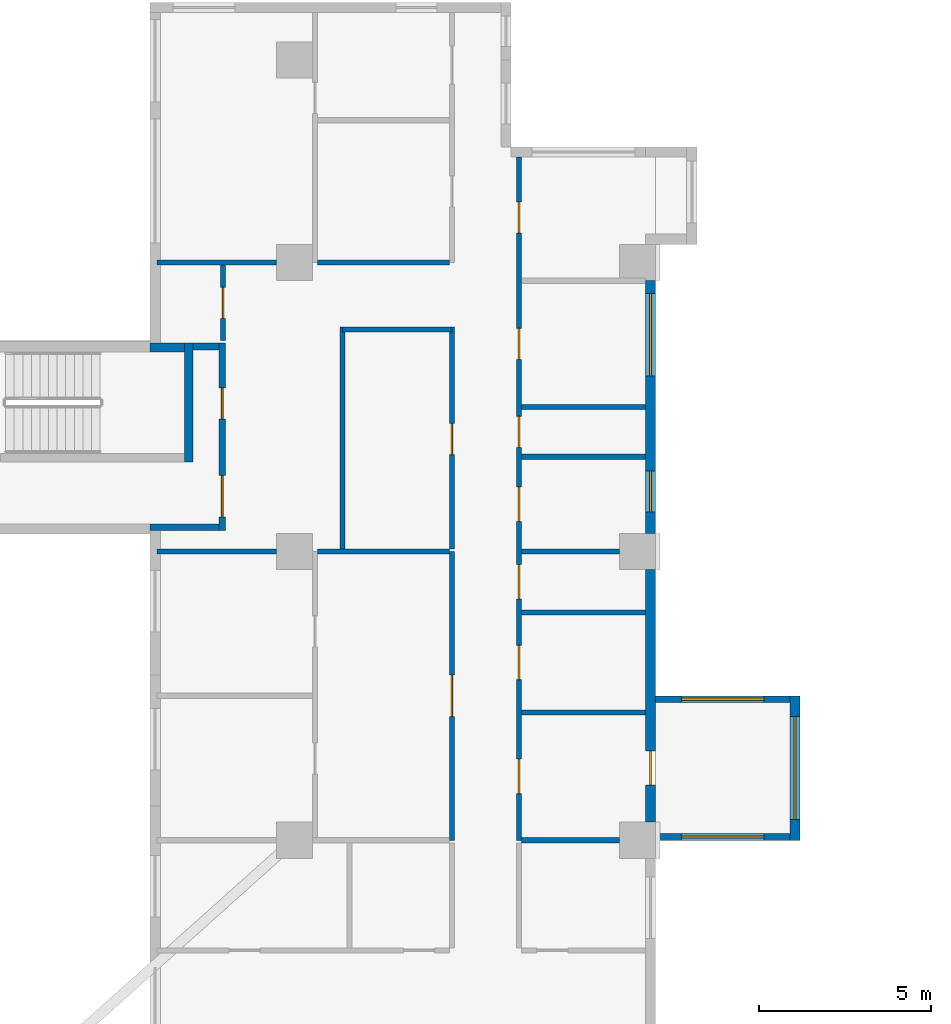
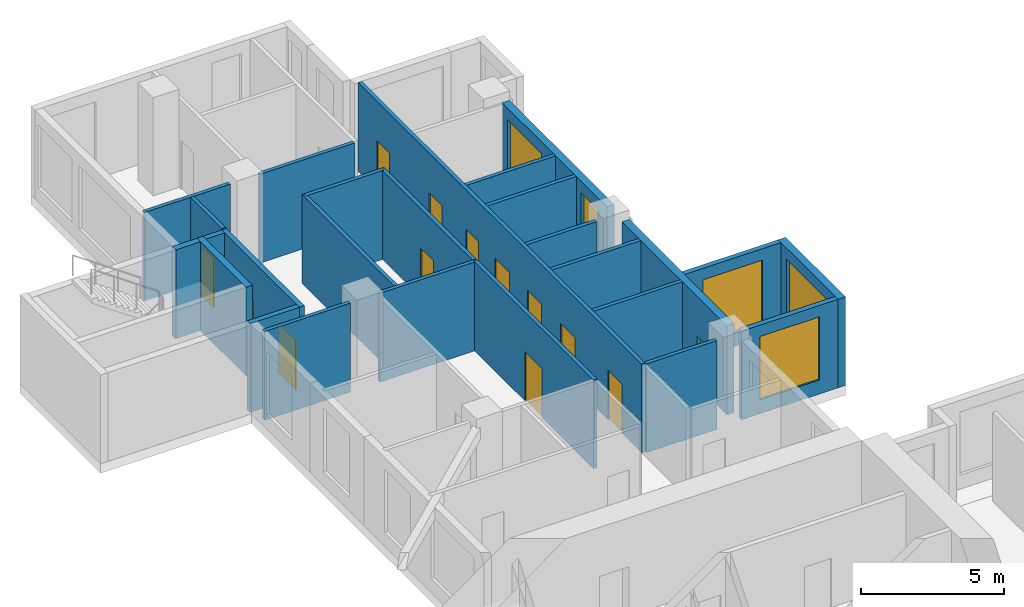
# One storey, part 7 of 15: 26 walls, 13 doors, 5 windows, 18 openings.
"""IFC4 building model written with IfcOpenShell, lengths in metres."""

from ifc_helpers import new_model, si_unit, direction, frame, frame_2d, origin, place, context, subcontext, project, spatial, rectangle, extrude, source, transform, mapped, material, layer, layer_set, type_object, element, fill, save


model = new_model("IFC4")

# Units and contexts
model_context = context("Model", 3, precision=1e-05, world=origin(), true_north=direction((0.0, 1.0)))
body_context = subcontext(model_context, "Body", "Model", "MODEL_VIEW")
ifc_project = project(units=[si_unit("LENGTHUNIT", "METRE"), si_unit("AREAUNIT", "SQUARE_METRE"), si_unit("VOLUMEUNIT", "CUBIC_METRE"), si_unit("PLANEANGLEUNIT", "RADIAN"), si_unit("MASSUNIT", "GRAM", prefix="KILO")], contexts=[model_context])

# Site, building, storey
site_placement = place(None, origin())
site = spatial("IfcSite", under=ifc_project, at=site_placement, CompositionType="ELEMENT")
building_placement = place(site_placement, origin())
building = spatial("IfcBuilding", under=site, at=building_placement, Name="Aurelian Terraces", CompositionType="ELEMENT")
storey_placement = place(building_placement, frame((0.0, 0.0, 120.3)))
storey = spatial("IfcBuildingStorey", under=building, at=storey_placement, Name="L26", CompositionType="ELEMENT", Elevation=120.3)

# Wall, opening, window
ifc_material_1 = material(Name="Concrete fc' 40 MPa", Category="concrete")
ifc_layer_1 = layer(ifc_material_1, 0.2)
ifc_layer_set_1 = layer_set([ifc_layer_1], Name="BOX BEARING WALL 200")
wall_type_1 = type_object("IfcWallType", Name="BOX BEARING WALL 200", PredefinedType="SOLIDWALL", material=ifc_layer_set_1)
shared_shape_1 = source(origin(), body_context, "Body", "SweptSolid", [
    extrude(rectangle(XDim=3.9, YDim=0.2, at=frame_2d((1.95, 0.0))), origin(), (0.0, 0.0, 1.0), 3.79),
])
wall_1_placement = place(storey_placement, frame((21.0, 29.5, 0.0), z_axis=(0.0, 0.0, 1.0), x_axis=(1.0, 0.0, 0.0)))
wall_1 = element("IfcWall", 1, at=wall_1_placement, inside=storey, type_object=wall_type_1, Name="Box return L26 J38.1", PredefinedType="SOLIDWALL", context=body_context, shape_type="MappedRepresentation", body=[
    mapped(shared_shape_1, transform((0.0, 0.0, 0.0), scale=1.0)),
])
shared_shape_2 = source(origin(), body_context, "Body", "SweptSolid", [
    extrude(rectangle(XDim=2.4, YDim=2.7, at=frame_2d((1.2, 1.35))), frame((0.0, 0.11, 0.0), z_axis=(0.0, -1.0, 0.0), x_axis=(1.0, 0.0, 0.0)), (0.0, 0.0, 1.0), 0.22),
])
opening_1_placement = place(wall_1_placement, frame((0.75, 0.0, 0.6)))
opening_1 = element("IfcOpeningElement", 2, at=opening_1_placement, cuts=wall_1, Name="Opening W2427", PredefinedType="OPENING", context=body_context, shape_type="MappedRepresentation", body=[
    mapped(shared_shape_2, transform((0.0, 0.0, 0.0), scale=1.0)),
])
ifc_material_2 = material(Name="Clear glazing", Category="glass")
window_type_1 = type_object("IfcWindowType", Name="W-2400x2700", PartitioningType="SINGLE_PANEL", PredefinedType="WINDOW", material=ifc_material_2)
shared_shape_3 = source(origin(), body_context, "Body", "SweptSolid", [
    extrude(rectangle(XDim=2.4, YDim=2.7, at=frame_2d((1.2, 1.35))), frame((0.0, 0.03, 0.0), z_axis=(0.0, -1.0, 0.0), x_axis=(1.0, 0.0, 0.0)), (0.0, 0.0, 1.0), 0.06),
])
window_1_placement = place(opening_1_placement, origin())
window_1 = element("IfcWindow", 3, at=window_1_placement, inside=storey, type_object=window_type_1, Name="Window L26 J38-S1", OverallHeight=2.7, OverallWidth=2.4, PartitioningType="SINGLE_PANEL", PredefinedType="WINDOW", context=body_context, shape_type="MappedRepresentation", body=[
    mapped(shared_shape_3, transform((0.0, 0.0, 0.0), scale=1.0)),
])
fill(opening_1, window_1)

wall_2_placement = place(storey_placement, frame((21.0, 33.5, 0.0), z_axis=(0.0, 0.0, 1.0), x_axis=(1.0, 0.0, 0.0)))
wall_2 = element("IfcWall", 4, at=wall_2_placement, inside=storey, type_object=wall_type_1, Name="Box return L26 J38.2", PredefinedType="SOLIDWALL", context=body_context, shape_type="MappedRepresentation", body=[
    mapped(shared_shape_1, transform((0.0, 0.0, 0.0), scale=1.0)),
])
opening_2_placement = place(wall_2_placement, frame((0.75, 0.0, 0.6)))
opening_2 = element("IfcOpeningElement", 5, at=opening_2_placement, cuts=wall_2, Name="Opening W2427", PredefinedType="OPENING", context=body_context, shape_type="MappedRepresentation", body=[
    mapped(shared_shape_2, transform((0.0, 0.0, 0.0), scale=1.0)),
])
window_2_placement = place(opening_2_placement, origin())
window_2 = element("IfcWindow", 6, at=window_2_placement, inside=storey, type_object=window_type_1, Name="Window L26 J38-S2", OverallHeight=2.7, OverallWidth=2.4, PartitioningType="SINGLE_PANEL", PredefinedType="WINDOW", context=body_context, shape_type="MappedRepresentation", body=[
    mapped(shared_shape_3, transform((0.0, 0.0, 0.0), scale=1.0)),
])
fill(opening_2, window_2)

ifc_layer_2 = layer(ifc_material_1, 0.3)
ifc_layer_set_2 = layer_set([ifc_layer_2], Name="BOX BEARING WALL 300")
wall_type_2 = type_object("IfcWallType", Name="BOX BEARING WALL 300", PredefinedType="SOLIDWALL", material=ifc_layer_set_2)
shared_shape_4 = source(origin(), body_context, "Body", "SweptSolid", [
    extrude(rectangle(XDim=4.2, YDim=0.3, at=frame_2d((2.1, 0.0))), origin(), (0.0, 0.0, 1.0), 3.79),
])
wall_3_placement = place(storey_placement, frame((25.05, 29.4, 0.0), z_axis=(0.0, 0.0, 1.0), x_axis=(0.0, 1.0, 0.0)))
wall_3 = element("IfcWall", 7, at=wall_3_placement, inside=storey, type_object=wall_type_2, Name="Box wall L26 J38", PredefinedType="SOLIDWALL", context=body_context, shape_type="MappedRepresentation", body=[
    mapped(shared_shape_4, transform((0.0, 0.0, 0.0), scale=1.0)),
])
shared_shape_5 = source(origin(), body_context, "Body", "SweptSolid", [
    extrude(rectangle(XDim=3.0, YDim=2.7, at=frame_2d((1.5, 1.35))), frame((0.0, 0.16, 0.0), z_axis=(0.0, -1.0, 0.0), x_axis=(1.0, 0.0, 0.0)), (0.0, 0.0, 1.0), 0.32),
])
opening_3_placement = place(wall_3_placement, frame((0.6, 0.0, 0.6)))
opening_3 = element("IfcOpeningElement", 8, at=opening_3_placement, cuts=wall_3, Name="Opening W3027", PredefinedType="OPENING", context=body_context, shape_type="MappedRepresentation", body=[
    mapped(shared_shape_5, transform((0.0, 0.0, 0.0), scale=1.0)),
])
window_type_2 = type_object("IfcWindowType", Name="W-3000x2700", PartitioningType="SINGLE_PANEL", PredefinedType="WINDOW", material=ifc_material_2)
shared_shape_6 = source(origin(), body_context, "Body", "SweptSolid", [
    extrude(rectangle(XDim=3.0, YDim=2.7, at=frame_2d((1.5, 1.35))), frame((0.0, 0.03, 0.0), z_axis=(0.0, -1.0, 0.0), x_axis=(1.0, 0.0, 0.0)), (0.0, 0.0, 1.0), 0.06),
])
window_3_placement = place(opening_3_placement, origin())
window_3 = element("IfcWindow", 9, at=window_3_placement, inside=storey, type_object=window_type_2, Name="Window L26 J38-F1", OverallHeight=2.7, OverallWidth=3.0, PartitioningType="SINGLE_PANEL", PredefinedType="WINDOW", context=body_context, shape_type="MappedRepresentation", body=[
    mapped(shared_shape_6, transform((0.0, 0.0, 0.0), scale=1.0)),
])
fill(opening_3, window_3)

# Wall, opening, door
ifc_material_3 = material(Name="Terracotta rainscreen cladding", Category="masonry")
ifc_layer_3 = layer(ifc_material_3, 0.3)
ifc_layer_set_3 = layer_set([ifc_layer_3], Name="EW-300")
wall_type_3 = type_object("IfcWallType", Name="EW-300", PredefinedType="STANDARD", material=ifc_layer_set_3)
shared_shape_7 = source(origin(), body_context, "Body", "SweptSolid", [
    extrude(rectangle(XDim=7.35, YDim=0.3, at=frame_2d((3.675, 0.0))), origin(), (0.0, 0.0, 1.0), 3.8),
])
wall_4_placement = place(storey_placement, frame((20.85, 29.925, 0.0), z_axis=(0.0, 0.0, 1.0), x_axis=(0.0, 1.0, 0.0)))
wall_4 = element("IfcWall", 10, at=wall_4_placement, inside=storey, type_object=wall_type_3, Name="External wall L26 F08.24", PredefinedType="STANDARD", context=body_context, shape_type="MappedRepresentation", body=[
    mapped(shared_shape_7, transform((0.0, 0.0, 0.0), scale=1.0)),
])
shared_shape_8 = source(origin(), body_context, "Body", "SweptSolid", [
    extrude(rectangle(XDim=1.0, YDim=2.1, at=frame_2d((0.5, 1.05))), frame((0.0, 0.16, 0.0), z_axis=(0.0, -1.0, 0.0), x_axis=(1.0, 0.0, 0.0)), (0.0, 0.0, 1.0), 0.32),
])
opening_4_placement = place(wall_4_placement, frame((1.075, 0.0, 0.0)))
opening_4 = element("IfcOpeningElement", 11, at=opening_4_placement, cuts=wall_4, Name="Opening 826003", PredefinedType="OPENING", context=body_context, shape_type="MappedRepresentation", body=[
    mapped(shared_shape_8, transform((0.0, 0.0, 0.0), scale=1.0)),
])
ifc_material_4 = material(Name="Timber door leaf", Category="wood")
door_type_1 = type_object("IfcDoorType", Name="Room door 1000x2100 left", OperationType="SINGLE_SWING_LEFT", PredefinedType="DOOR", material=ifc_material_4)
shared_shape_9 = source(origin(), body_context, "Body", "SweptSolid", [
    extrude(rectangle(XDim=1.0, YDim=2.1, at=frame_2d((0.5, 1.05))), frame((0.0, 0.025, 0.0), z_axis=(0.0, -1.0, 0.0), x_axis=(1.0, 0.0, 0.0)), (0.0, 0.0, 1.0), 0.05),
])
door_1_placement = place(opening_4_placement, origin())
door_1 = element("IfcDoor", 12, at=door_1_placement, inside=storey, type_object=door_type_1, Name="Door 826003", OperationType="SINGLE_SWING_LEFT", OverallHeight=2.1, OverallWidth=1.0, PredefinedType="DOOR", context=body_context, shape_type="MappedRepresentation", body=[
    mapped(shared_shape_9, transform((0.0, 0.0, 0.0), scale=1.0)),
])
fill(opening_4, door_1)

# Wall, openings, windows
wall_5_placement = place(storey_placement, frame((20.85, 38.325, 0.0), z_axis=(0.0, 0.0, 1.0), x_axis=(0.0, 1.0, 0.0)))
wall_5 = element("IfcWall", 13, at=wall_5_placement, inside=storey, type_object=wall_type_3, Name="External wall L26 F08.25", PredefinedType="STANDARD", context=body_context, shape_type="MappedRepresentation", body=[
    mapped(shared_shape_7, transform((0.0, 0.0, 0.0), scale=1.0)),
])
shared_shape_10 = source(origin(), body_context, "Body", "SweptSolid", [
    extrude(rectangle(XDim=1.2, YDim=2.7, at=frame_2d((0.6, 1.35))), frame((0.0, 0.16, 0.0), z_axis=(0.0, -1.0, 0.0), x_axis=(1.0, 0.0, 0.0)), (0.0, 0.0, 1.0), 0.32),
])
opening_5_placement = place(wall_5_placement, frame((0.6115, 0.0, 0.6)))
opening_5 = element("IfcOpeningElement", 14, at=opening_5_placement, cuts=wall_5, Name="Opening W1227", PredefinedType="OPENING", context=body_context, shape_type="MappedRepresentation", body=[
    mapped(shared_shape_10, transform((0.0, 0.0, 0.0), scale=1.0)),
])
shared_shape_11 = source(origin(), body_context, "Body", "SweptSolid", [
    extrude(rectangle(XDim=2.4, YDim=2.7, at=frame_2d((1.2, 1.35))), frame((0.0, 0.16, 0.0), z_axis=(0.0, -1.0, 0.0), x_axis=(1.0, 0.0, 0.0)), (0.0, 0.0, 1.0), 0.32),
])
opening_6_placement = place(wall_5_placement, frame((4.575, 0.0, 0.6)))
opening_6 = element("IfcOpeningElement", 15, at=opening_6_placement, cuts=wall_5, Name="Opening W2427", PredefinedType="OPENING", context=body_context, shape_type="MappedRepresentation", body=[
    mapped(shared_shape_11, transform((0.0, 0.0, 0.0), scale=1.0)),
])
window_4_placement = place(opening_6_placement, origin())
window_4 = element("IfcWindow", 16, at=window_4_placement, inside=storey, type_object=window_type_1, Name="Window L26 L26-F08-25-1", OverallHeight=2.7, OverallWidth=2.4, PartitioningType="SINGLE_PANEL", PredefinedType="WINDOW", context=body_context, shape_type="MappedRepresentation", body=[
    mapped(shared_shape_3, transform((0.0, 0.0, 0.0), scale=1.0)),
])
fill(opening_6, window_4)
window_type_3 = type_object("IfcWindowType", Name="W-1200x2700", PartitioningType="SINGLE_PANEL", PredefinedType="WINDOW", material=ifc_material_2)
shared_shape_12 = source(origin(), body_context, "Body", "SweptSolid", [
    extrude(rectangle(XDim=1.2, YDim=2.7, at=frame_2d((0.6, 1.35))), frame((0.0, 0.03, 0.0), z_axis=(0.0, -1.0, 0.0), x_axis=(1.0, 0.0, 0.0)), (0.0, 0.0, 1.0), 0.06),
])
window_5_placement = place(opening_5_placement, origin())
window_5 = element("IfcWindow", 17, at=window_5_placement, inside=storey, type_object=window_type_3, Name="Window L26 L26-F08-25-0", OverallHeight=2.7, OverallWidth=1.2, PartitioningType="SINGLE_PANEL", PredefinedType="WINDOW", context=body_context, shape_type="MappedRepresentation", body=[
    mapped(shared_shape_12, transform((0.0, 0.0, 0.0), scale=1.0)),
])
fill(opening_5, window_5)

# Wall
ifc_layer_4 = layer(ifc_material_1, 0.25)
ifc_layer_set_4 = layer_set([ifc_layer_4], Name="Stair enclosure wall 250")
wall_type_4 = type_object("IfcWallType", Name="Stair enclosure wall 250", PredefinedType="SOLIDWALL", material=ifc_layer_set_4)
shared_shape_13 = source(origin(), body_context, "Body", "SweptSolid", [
    extrude(rectangle(XDim=3.45, YDim=0.25, at=frame_2d((1.725, 0.0))), origin(), (0.0, 0.0, 1.0), 3.8),
])
wall_6_placement = place(storey_placement, frame((7.425, 40.4, 0.0), z_axis=(0.0, 0.0, 1.0), x_axis=(0.0, 1.0, 0.0)))
element("IfcWall", 18, at=wall_6_placement, inside=storey, type_object=wall_type_4, Name="L26 core wall ST-S3-N", PredefinedType="SOLIDWALL", context=body_context, shape_type="MappedRepresentation", body=[
    mapped(shared_shape_13, transform((0.0, 0.0, 0.0), scale=1.0)),
])

# Wall, openings, doors
ifc_material_5 = material(Name="Gypsum board on steel studs", Category="steel")
ifc_layer_5 = layer(ifc_material_5, 0.2)
ifc_layer_set_5 = layer_set([ifc_layer_5], Name="Core partition 200")
wall_type_5 = type_object("IfcWallType", Name="Core partition 200", PredefinedType="PARTITIONING", material=ifc_layer_set_5)
shared_shape_14 = source(origin(), body_context, "Body", "SweptSolid", [
    extrude(rectangle(XDim=5.45, YDim=0.2, at=frame_2d((2.725, 0.0))), origin(), (0.0, 0.0, 1.0), 3.8),
])
wall_7_placement = place(storey_placement, frame((8.4, 38.4, 0.0), z_axis=(0.0, 0.0, 1.0), x_axis=(0.0, 1.0, 0.0)))
wall_7 = element("IfcWall", 19, at=wall_7_placement, inside=storey, type_object=wall_type_5, Name="L26 core wall ST-S3-BN", PredefinedType="PARTITIONING", context=body_context, shape_type="MappedRepresentation", body=[
    mapped(shared_shape_14, transform((0.0, 0.0, 0.0), scale=1.0)),
])
shared_shape_15 = source(origin(), body_context, "Body", "SweptSolid", [
    extrude(rectangle(XDim=1.2, YDim=2.1, at=frame_2d((0.6, 1.05))), frame((0.0, 0.11, 0.0), z_axis=(0.0, -1.0, 0.0), x_axis=(1.0, 0.0, 0.0)), (0.0, 0.0, 1.0), 0.22),
])
opening_7_placement = place(wall_7_placement, frame((0.4, 0.0, 0.0)))
opening_7 = element("IfcOpeningElement", 20, at=opening_7_placement, cuts=wall_7, Name="Opening 62919", PredefinedType="OPENING", context=body_context, shape_type="MappedRepresentation", body=[
    mapped(shared_shape_15, transform((0.0, 0.0, 0.0), scale=1.0)),
])
shared_shape_16 = source(origin(), body_context, "Body", "SweptSolid", [
    extrude(rectangle(XDim=0.9, YDim=2.1, at=frame_2d((0.45, 1.05))), frame((0.0, 0.11, 0.0), z_axis=(0.0, -1.0, 0.0), x_axis=(1.0, 0.0, 0.0)), (0.0, 0.0, 1.0), 0.22),
])
opening_8_placement = place(wall_7_placement, frame((3.25, 0.0, 0.0)))
opening_8 = element("IfcOpeningElement", 21, at=opening_8_placement, cuts=wall_7, Name="Opening 62920", PredefinedType="OPENING", context=body_context, shape_type="MappedRepresentation", body=[
    mapped(shared_shape_16, transform((0.0, 0.0, 0.0), scale=1.0)),
])
ifc_material_6 = material(Name="Steel door leaf", Category="steel")
door_type_2 = type_object("IfcDoorType", Name="Core riser door 900x2100 right", OperationType="SINGLE_SWING_RIGHT", PredefinedType="DOOR", material=ifc_material_6)
shared_shape_17 = source(origin(), body_context, "Body", "SweptSolid", [
    extrude(rectangle(XDim=0.9, YDim=2.1, at=frame_2d((0.45, 1.05))), frame((0.0, 0.025, 0.0), z_axis=(0.0, -1.0, 0.0), x_axis=(1.0, 0.0, 0.0)), (0.0, 0.0, 1.0), 0.05),
])
door_2_placement = place(opening_8_placement, origin())
door_2 = element("IfcDoor", 22, at=door_2_placement, inside=storey, type_object=door_type_2, Name="Riser door 62920", OperationType="SINGLE_SWING_RIGHT", OverallHeight=2.1, OverallWidth=0.9, PredefinedType="DOOR", context=body_context, shape_type="MappedRepresentation", body=[
    mapped(shared_shape_17, transform((0.0, 0.0, 0.0), scale=1.0)),
])
fill(opening_8, door_2)
door_type_3 = type_object("IfcDoorType", Name="Core fire door 1200x2100", OperationType="SINGLE_SWING_LEFT", PredefinedType="DOOR", material=ifc_material_6)
shared_shape_18 = source(origin(), body_context, "Body", "SweptSolid", [
    extrude(rectangle(XDim=1.2, YDim=2.1, at=frame_2d((0.6, 1.05))), frame((0.0, 0.025, 0.0), z_axis=(0.0, -1.0, 0.0), x_axis=(1.0, 0.0, 0.0)), (0.0, 0.0, 1.0), 0.05),
])
door_3_placement = place(opening_7_placement, origin())
door_3 = element("IfcDoor", 23, at=door_3_placement, inside=storey, type_object=door_type_3, Name="Vestibule door 62919", OperationType="SINGLE_SWING_LEFT", OverallHeight=2.1, OverallWidth=1.2, PredefinedType="DOOR", context=body_context, shape_type="MappedRepresentation", body=[
    mapped(shared_shape_18, transform((0.0, 0.0, 0.0), scale=1.0)),
])
fill(opening_7, door_3)

# Walls
shared_shape_19 = source(origin(), body_context, "Body", "SweptSolid", [
    extrude(rectangle(XDim=0.75, YDim=0.2, at=frame_2d((0.375, 0.0))), origin(), (0.0, 0.0, 1.0), 3.8),
])
wall_8_placement = place(storey_placement, frame((7.55, 43.75, 0.0), z_axis=(0.0, 0.0, 1.0), x_axis=(1.0, 0.0, 0.0)))
element("IfcWall", 24, at=wall_8_placement, inside=storey, type_object=wall_type_5, Name="L26 core wall ST-S3-RE", PredefinedType="PARTITIONING", context=body_context, shape_type="MappedRepresentation", body=[
    mapped(shared_shape_19, transform((0.0, 0.0, 0.0), scale=1.0)),
])
shared_shape_20 = source(origin(), body_context, "Body", "SweptSolid", [
    extrude(rectangle(XDim=1.0, YDim=0.25, at=frame_2d((0.5, 0.0))), origin(), (0.0, 0.0, 1.0), 3.8),
])
wall_9_placement = place(storey_placement, frame((6.3, 43.725, 0.0), z_axis=(0.0, 0.0, 1.0), x_axis=(1.0, 0.0, 0.0)))
element("IfcWall", 25, at=wall_9_placement, inside=storey, type_object=wall_type_4, Name="L26 core wall ST-S3-E", PredefinedType="SOLIDWALL", context=body_context, shape_type="MappedRepresentation", body=[
    mapped(shared_shape_20, transform((0.0, 0.0, 0.0), scale=1.0)),
])
shared_shape_21 = source(origin(), body_context, "Body", "SweptSolid", [
    extrude(rectangle(XDim=2.0, YDim=0.2, at=frame_2d((1.0, 0.0))), origin(), (0.0, 0.0, 1.0), 3.8),
])
wall_10_placement = place(storey_placement, frame((6.3, 38.5, 0.0), z_axis=(0.0, 0.0, 1.0), x_axis=(1.0, 0.0, 0.0)))
element("IfcWall", 26, at=wall_10_placement, inside=storey, type_object=wall_type_5, Name="L26 core wall ST-S3-VW", PredefinedType="PARTITIONING", context=body_context, shape_type="MappedRepresentation", body=[
    mapped(shared_shape_21, transform((0.0, 0.0, 0.0), scale=1.0)),
])
ifc_layer_6 = layer(ifc_material_5, 0.15)
ifc_layer_set_6 = layer_set([ifc_layer_6], Name="Partition 150")
wall_type_6 = type_object("IfcWallType", Name="Partition 150", PredefinedType="PARTITIONING", material=ifc_layer_set_6)
shared_shape_22 = source(origin(), body_context, "Body", "SweptSolid", [
    extrude(rectangle(XDim=6.45, YDim=0.15, at=frame_2d((3.225, 0.0))), origin(), (0.0, 0.0, 1.0), 3.8),
])
wall_11_placement = place(storey_placement, frame((11.9, 44.325, 0.0), z_axis=(0.0, 0.0, 1.0), x_axis=(0.0, -1.0, 0.0)))
element("IfcWall", 27, at=wall_11_placement, inside=storey, type_object=wall_type_6, Name="Partition", PredefinedType="PARTITIONING", context=body_context, shape_type="MappedRepresentation", body=[
    mapped(shared_shape_22, transform((0.0, 0.0, 0.0), scale=1.0)),
])

# Wall, opening, door
ifc_layer_7 = layer(ifc_material_5, 0.15)
ifc_layer_set_7 = layer_set([ifc_layer_7], Name="Fire partition 150")
wall_type_7 = type_object("IfcWallType", Name="Fire partition 150", PredefinedType="PARTITIONING", material=ifc_layer_set_7)
wall_12_placement = place(storey_placement, frame((15.075, 37.875, 0.0), z_axis=(0.0, 0.0, 1.0), x_axis=(0.0, 1.0, 0.0)))
wall_12 = element("IfcWall", 28, at=wall_12_placement, inside=storey, type_object=wall_type_7, Name="Corridor wall", PredefinedType="PARTITIONING", context=body_context, shape_type="MappedRepresentation", body=[
    mapped(shared_shape_22, transform((0.0, 0.0, 0.0), scale=1.0)),
])
shared_shape_23 = source(origin(), body_context, "Body", "SweptSolid", [
    extrude(rectangle(XDim=0.9, YDim=2.1, at=frame_2d((0.45, 1.05))), frame((0.0, 0.085, 0.0), z_axis=(0.0, -1.0, 0.0), x_axis=(1.0, 0.0, 0.0)), (0.0, 0.0, 1.0), 0.17),
])
opening_9_placement = place(wall_12_placement, frame((2.7375, 0.0, 0.0)))
opening_9 = element("IfcOpeningElement", 29, at=opening_9_placement, cuts=wall_12, Name="Opening 726034", PredefinedType="OPENING", context=body_context, shape_type="MappedRepresentation", body=[
    mapped(shared_shape_23, transform((0.0, 0.0, 0.0), scale=1.0)),
])
door_type_4 = type_object("IfcDoorType", Name="Room door 900x2100 right", OperationType="SINGLE_SWING_RIGHT", PredefinedType="DOOR", material=ifc_material_4)
door_4_placement = place(opening_9_placement, origin())
door_4 = element("IfcDoor", 30, at=door_4_placement, inside=storey, type_object=door_type_4, Name="Door 726034", OperationType="SINGLE_SWING_RIGHT", OverallHeight=2.1, OverallWidth=0.9, PredefinedType="DOOR", context=body_context, shape_type="MappedRepresentation", body=[
    mapped(shared_shape_17, transform((0.0, 0.0, 0.0), scale=1.0)),
])
fill(opening_9, door_4)

# Walls
shared_shape_24 = source(origin(), body_context, "Body", "SweptSolid", [
    extrude(rectangle(XDim=3.6, YDim=0.15, at=frame_2d((1.8, 0.0))), origin(), (0.0, 0.0, 1.0), 3.8),
])
for number, where, z_axis, x_axis, name in (
    (31, (17.1, 33.1133, 0.0), (0.0, 0.0, 1.0), (1.0, 0.0, 0.0), "Partition"),
    (32, (17.1, 36.024, 0.0), (0.0, 0.0, 1.0), (1.0, 0.0, 0.0), "Partition"),
    (33, (17.1, 40.548, 0.0), (0.0, 0.0, 1.0), (1.0, 0.0, 0.0), "Partition"),
    (34, (20.7, 42.0, 0.0), (0.0, 0.0, 1.0), (-1.0, 0.0, 0.0), "Partition"),
):
    element("IfcWall", number, at=place(storey_placement, frame(where, z_axis=z_axis, x_axis=x_axis)), inside=storey, type_object=wall_type_6, Name=name, PredefinedType="PARTITIONING", context=body_context, shape_type="MappedRepresentation", body=[
        mapped(shared_shape_24, transform((0.0, 0.0, 0.0), scale=1.0)),
    ])

# Wall, opening, door
shared_shape_25 = source(origin(), body_context, "Body", "SweptSolid", [
    extrude(rectangle(XDim=8.4, YDim=0.15, at=frame_2d((4.2, 0.0))), origin(), (0.0, 0.0, 1.0), 3.8),
])
wall_13_placement = place(storey_placement, frame((15.075, 29.4, 0.0), z_axis=(0.0, 0.0, 1.0), x_axis=(0.0, 1.0, 0.0)))
wall_13 = element("IfcWall", 35, at=wall_13_placement, inside=storey, type_object=wall_type_7, Name="Corridor wall", PredefinedType="PARTITIONING", context=body_context, shape_type="MappedRepresentation", body=[
    mapped(shared_shape_25, transform((0.0, 0.0, 0.0), scale=1.0)),
])
shared_shape_26 = source(origin(), body_context, "Body", "SweptSolid", [
    extrude(rectangle(XDim=1.2, YDim=2.1, at=frame_2d((0.6, 1.05))), frame((0.0, 0.085, 0.0), z_axis=(0.0, -1.0, 0.0), x_axis=(1.0, 0.0, 0.0)), (0.0, 0.0, 1.0), 0.17),
])
opening_10_placement = place(wall_13_placement, frame((3.6, 0.0, 0.0)))
opening_10 = element("IfcOpeningElement", 36, at=opening_10_placement, cuts=wall_13, Name="Opening 726036", PredefinedType="OPENING", context=body_context, shape_type="MappedRepresentation", body=[
    mapped(shared_shape_26, transform((0.0, 0.0, 0.0), scale=1.0)),
])
door_type_5 = type_object("IfcDoorType", Name="Room door 1200x2100 left", OperationType="SINGLE_SWING_LEFT", PredefinedType="DOOR", material=ifc_material_4)
door_5_placement = place(opening_10_placement, origin())
door_5 = element("IfcDoor", 37, at=door_5_placement, inside=storey, type_object=door_type_5, Name="Door 726036", OperationType="SINGLE_SWING_LEFT", OverallHeight=2.1, OverallWidth=1.2, PredefinedType="DOOR", context=body_context, shape_type="MappedRepresentation", body=[
    mapped(shared_shape_18, transform((0.0, 0.0, 0.0), scale=1.0)),
])
fill(opening_10, door_5)

shared_shape_27 = source(origin(), body_context, "Body", "SweptSolid", [
    extrude(rectangle(XDim=2.2, YDim=0.15, at=frame_2d((1.1, 0.0))), origin(), (0.0, 0.0, 1.0), 3.8),
])
wall_14_placement = place(storey_placement, frame((8.425, 43.925, 0.0), z_axis=(0.0, 0.0, 1.0), x_axis=(0.0, 1.0, 0.0)))
wall_14 = element("IfcWall", 38, at=wall_14_placement, inside=storey, type_object=wall_type_6, Name="Partition", PredefinedType="PARTITIONING", context=body_context, shape_type="MappedRepresentation", body=[
    mapped(shared_shape_27, transform((0.0, 0.0, 0.0), scale=1.0)),
])
opening_11_placement = place(wall_14_placement, frame((0.65, 0.0, 0.0)))
opening_11 = element("IfcOpeningElement", 39, at=opening_11_placement, cuts=wall_14, Name="Opening 726035", PredefinedType="OPENING", context=body_context, shape_type="MappedRepresentation", body=[
    mapped(shared_shape_23, transform((0.0, 0.0, 0.0), scale=1.0)),
])
door_6_placement = place(opening_11_placement, origin())
door_6 = element("IfcDoor", 40, at=door_6_placement, inside=storey, type_object=door_type_4, Name="Door 726035", OperationType="SINGLE_SWING_RIGHT", OverallHeight=2.1, OverallWidth=0.9, PredefinedType="DOOR", context=body_context, shape_type="MappedRepresentation", body=[
    mapped(shared_shape_17, transform((0.0, 0.0, 0.0), scale=1.0)),
])
fill(opening_11, door_6)

# Walls
shared_shape_28 = source(origin(), body_context, "Body", "SweptSolid", [
    extrude(rectangle(XDim=3.175, YDim=0.15, at=frame_2d((1.5875, 0.0))), origin(), (0.0, 0.0, 1.0), 3.8),
])
wall_15_placement = place(storey_placement, frame((15.075, 44.25, 0.0), z_axis=(0.0, 0.0, 1.0), x_axis=(-1.0, 0.0, 0.0)))
element("IfcWall", 41, at=wall_15_placement, inside=storey, type_object=wall_type_6, Name="Partition", PredefinedType="PARTITIONING", context=body_context, shape_type="MappedRepresentation", body=[
    mapped(shared_shape_28, transform((0.0, 0.0, 0.0), scale=1.0)),
])
shared_shape_29 = source(origin(), body_context, "Body", "SweptSolid", [
    extrude(rectangle(XDim=3.825, YDim=0.15, at=frame_2d((1.9125, 0.0))), origin(), (0.0, 0.0, 1.0), 3.8),
])
for number, where, z_axis, x_axis, name in (
    (42, (15.0, 37.8, 0.0), (0.0, 0.0, 1.0), (-1.0, 0.0, 0.0), "Partition"),
    (43, (15.0, 46.2, 0.0), (0.0, 0.0, 1.0), (-1.0, 0.0, 0.0), "Partition"),
):
    element("IfcWall", number, at=place(storey_placement, frame(where, z_axis=z_axis, x_axis=x_axis)), inside=storey, type_object=wall_type_6, Name=name, PredefinedType="PARTITIONING", context=body_context, shape_type="MappedRepresentation", body=[
        mapped(shared_shape_29, transform((0.0, 0.0, 0.0), scale=1.0)),
    ])
shared_shape_30 = source(origin(), body_context, "Body", "SweptSolid", [
    extrude(rectangle(XDim=2.851, YDim=0.15, at=frame_2d((1.4255, 0.0))), origin(), (0.0, 0.0, 1.0), 3.8),
])
for number, where, z_axis, x_axis, name in (
    (44, (19.951, 29.4, 0.0), (0.0, 0.0, 1.0), (-1.0, 0.0, 0.0), "Partition"),
    (45, (19.951, 37.8, 0.0), (0.0, 0.0, 1.0), (-1.0, 0.0, 0.0), "Partition"),
):
    element("IfcWall", number, at=place(storey_placement, frame(where, z_axis=z_axis, x_axis=x_axis)), inside=storey, type_object=wall_type_6, Name=name, PredefinedType="PARTITIONING", context=body_context, shape_type="MappedRepresentation", body=[
        mapped(shared_shape_30, transform((0.0, 0.0, 0.0), scale=1.0)),
    ])
shared_shape_31 = source(origin(), body_context, "Body", "SweptSolid", [
    extrude(rectangle(XDim=3.471, YDim=0.15, at=frame_2d((1.7355, 0.0))), origin(), (0.0, 0.0, 1.0), 3.8),
])
for number, where, z_axis, x_axis, name in (
    (46, (9.976, 37.8, 0.0), (0.0, 0.0, 1.0), (-1.0, 0.0, 0.0), "Partition"),
    (47, (9.976, 46.2, 0.0), (0.0, 0.0, 1.0), (-1.0, 0.0, 0.0), "Partition"),
):
    element("IfcWall", number, at=place(storey_placement, frame(where, z_axis=z_axis, x_axis=x_axis)), inside=storey, type_object=wall_type_6, Name=name, PredefinedType="PARTITIONING", context=body_context, shape_type="MappedRepresentation", body=[
        mapped(shared_shape_31, transform((0.0, 0.0, 0.0), scale=1.0)),
    ])

# Wall, openings, doors
shared_shape_32 = source(origin(), body_context, "Body", "SweptSolid", [
    extrude(rectangle(XDim=19.86, YDim=0.15, at=frame_2d((9.93, 0.0))), origin(), (0.0, 0.0, 1.0), 3.8),
])
wall_16_placement = place(storey_placement, frame((17.025, 49.26, 0.0), z_axis=(0.0, 0.0, 1.0), x_axis=(0.0, -1.0, 0.0)))
wall_16 = element("IfcWall", 48, at=wall_16_placement, inside=storey, type_object=wall_type_7, Name="Corridor wall", PredefinedType="PARTITIONING", context=body_context, shape_type="MappedRepresentation", body=[
    mapped(shared_shape_32, transform((0.0, 0.0, 0.0), scale=1.0)),
])
shared_shape_33 = source(origin(), body_context, "Body", "SweptSolid", [
    extrude(rectangle(XDim=1.0, YDim=2.1, at=frame_2d((0.5, 1.05))), frame((0.0, 0.085, 0.0), z_axis=(0.0, -1.0, 0.0), x_axis=(1.0, 0.0, 0.0)), (0.0, 0.0, 1.0), 0.17),
])
opening_12_placement = place(wall_16_placement, frame((17.5033, 0.0, 0.0)))
opening_12 = element("IfcOpeningElement", 49, at=opening_12_placement, cuts=wall_16, Name="Opening 726042", PredefinedType="OPENING", context=body_context, shape_type="MappedRepresentation", body=[
    mapped(shared_shape_33, transform((0.0, 0.0, 0.0), scale=1.0)),
])
opening_13_placement = place(wall_16_placement, frame((14.1914, 0.0, 0.0)))
opening_13 = element("IfcOpeningElement", 50, at=opening_13_placement, cuts=wall_16, Name="Opening 726043", PredefinedType="OPENING", context=body_context, shape_type="MappedRepresentation", body=[
    mapped(shared_shape_33, transform((0.0, 0.0, 0.0), scale=1.0)),
])
opening_14_placement = place(wall_16_placement, frame((11.848, 0.0, 0.0)))
opening_14 = element("IfcOpeningElement", 51, at=opening_14_placement, cuts=wall_16, Name="Opening 726044", PredefinedType="OPENING", context=body_context, shape_type="MappedRepresentation", body=[
    mapped(shared_shape_33, transform((0.0, 0.0, 0.0), scale=1.0)),
])
opening_15_placement = place(wall_16_placement, frame((9.586, 0.0, 0.0)))
opening_15 = element("IfcOpeningElement", 52, at=opening_15_placement, cuts=wall_16, Name="Opening 726045", PredefinedType="OPENING", context=body_context, shape_type="MappedRepresentation", body=[
    mapped(shared_shape_33, transform((0.0, 0.0, 0.0), scale=1.0)),
])
opening_16_placement = place(wall_16_placement, frame((7.536, 0.0, 0.0)))
opening_16 = element("IfcOpeningElement", 53, at=opening_16_placement, cuts=wall_16, Name="Opening 726046", PredefinedType="OPENING", context=body_context, shape_type="MappedRepresentation", body=[
    mapped(shared_shape_23, transform((0.0, 0.0, 0.0), scale=1.0)),
])
opening_17_placement = place(wall_16_placement, frame((4.9762, 0.0, 0.0)))
opening_17 = element("IfcOpeningElement", 54, at=opening_17_placement, cuts=wall_16, Name="Opening 726047", PredefinedType="OPENING", context=body_context, shape_type="MappedRepresentation", body=[
    mapped(shared_shape_23, transform((0.0, 0.0, 0.0), scale=1.0)),
])
opening_18_placement = place(wall_16_placement, frame((1.3088, 0.0, 0.0)))
opening_18 = element("IfcOpeningElement", 55, at=opening_18_placement, cuts=wall_16, Name="Opening 726048", PredefinedType="OPENING", context=body_context, shape_type="MappedRepresentation", body=[
    mapped(shared_shape_23, transform((0.0, 0.0, 0.0), scale=1.0)),
])
door_7_placement = place(opening_12_placement, origin())
door_7 = element("IfcDoor", 56, at=door_7_placement, inside=storey, type_object=door_type_1, Name="Door 726042", OperationType="SINGLE_SWING_LEFT", OverallHeight=2.1, OverallWidth=1.0, PredefinedType="DOOR", context=body_context, shape_type="MappedRepresentation", body=[
    mapped(shared_shape_9, transform((0.0, 0.0, 0.0), scale=1.0)),
])
fill(opening_12, door_7)
door_type_6 = type_object("IfcDoorType", Name="Room door 1000x2100 right", OperationType="SINGLE_SWING_RIGHT", PredefinedType="DOOR", material=ifc_material_4)
door_8_placement = place(opening_13_placement, origin())
door_8 = element("IfcDoor", 57, at=door_8_placement, inside=storey, type_object=door_type_6, Name="Door 726043", OperationType="SINGLE_SWING_RIGHT", OverallHeight=2.1, OverallWidth=1.0, PredefinedType="DOOR", context=body_context, shape_type="MappedRepresentation", body=[
    mapped(shared_shape_9, transform((0.0, 0.0, 0.0), scale=1.0)),
])
fill(opening_13, door_8)
door_9_placement = place(opening_14_placement, origin())
door_9 = element("IfcDoor", 58, at=door_9_placement, inside=storey, type_object=door_type_1, Name="Door 726044", OperationType="SINGLE_SWING_LEFT", OverallHeight=2.1, OverallWidth=1.0, PredefinedType="DOOR", context=body_context, shape_type="MappedRepresentation", body=[
    mapped(shared_shape_9, transform((0.0, 0.0, 0.0), scale=1.0)),
])
fill(opening_14, door_9)
door_10_placement = place(opening_15_placement, origin())
door_10 = element("IfcDoor", 59, at=door_10_placement, inside=storey, type_object=door_type_1, Name="Door 726045", OperationType="SINGLE_SWING_LEFT", OverallHeight=2.1, OverallWidth=1.0, PredefinedType="DOOR", context=body_context, shape_type="MappedRepresentation", body=[
    mapped(shared_shape_9, transform((0.0, 0.0, 0.0), scale=1.0)),
])
fill(opening_15, door_10)
door_11_placement = place(opening_16_placement, origin())
door_11 = element("IfcDoor", 60, at=door_11_placement, inside=storey, type_object=door_type_4, Name="Door 726046", OperationType="SINGLE_SWING_RIGHT", OverallHeight=2.1, OverallWidth=0.9, PredefinedType="DOOR", context=body_context, shape_type="MappedRepresentation", body=[
    mapped(shared_shape_17, transform((0.0, 0.0, 0.0), scale=1.0)),
])
fill(opening_16, door_11)
door_type_7 = type_object("IfcDoorType", Name="Room door 900x2100 left", OperationType="SINGLE_SWING_LEFT", PredefinedType="DOOR", material=ifc_material_4)
door_12_placement = place(opening_17_placement, origin())
door_12 = element("IfcDoor", 61, at=door_12_placement, inside=storey, type_object=door_type_7, Name="Door 726047", OperationType="SINGLE_SWING_LEFT", OverallHeight=2.1, OverallWidth=0.9, PredefinedType="DOOR", context=body_context, shape_type="MappedRepresentation", body=[
    mapped(shared_shape_17, transform((0.0, 0.0, 0.0), scale=1.0)),
])
fill(opening_17, door_12)
door_13_placement = place(opening_18_placement, origin())
door_13 = element("IfcDoor", 62, at=door_13_placement, inside=storey, type_object=door_type_4, Name="Door 726048", OperationType="SINGLE_SWING_RIGHT", OverallHeight=2.1, OverallWidth=0.9, PredefinedType="DOOR", context=body_context, shape_type="MappedRepresentation", body=[
    mapped(shared_shape_17, transform((0.0, 0.0, 0.0), scale=1.0)),
])
fill(opening_18, door_13)

save(model, "model.ifc")
